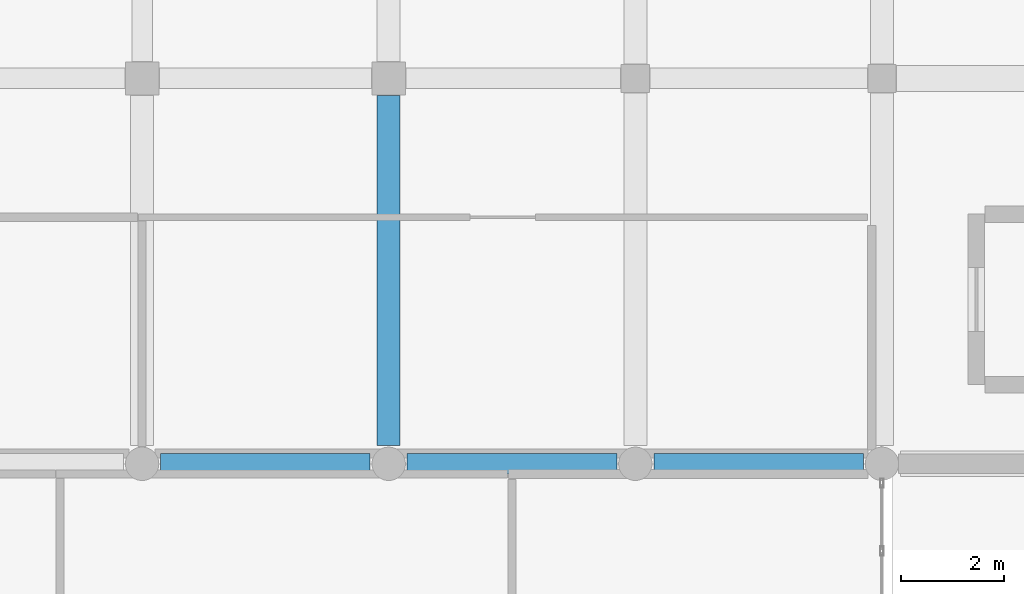
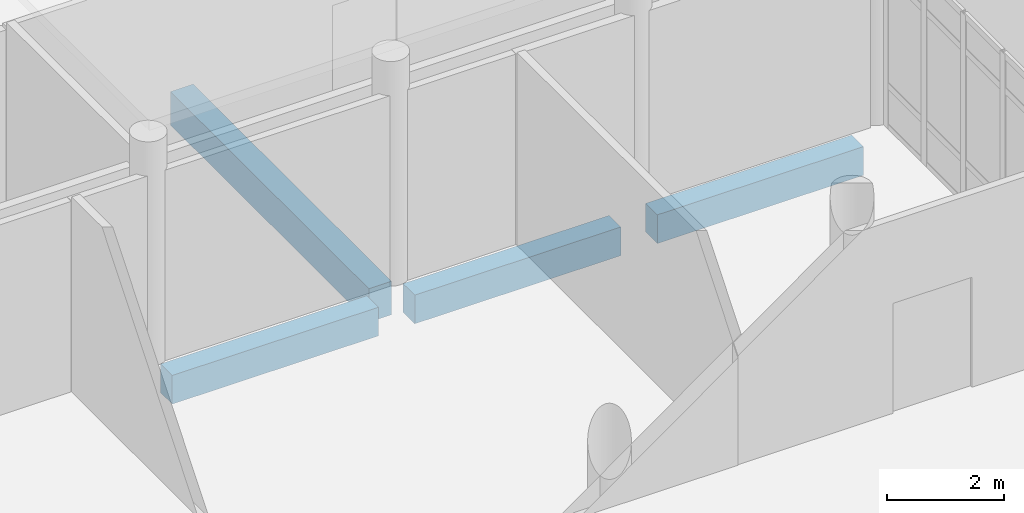
# One storey, part 76 of 173: 4 beams.
"""IFC4 building model written with IfcOpenShell, lengths in metres."""

from ifc_helpers import new_model, si_unit, direction, frame, origin, origin_2d, place, context, subcontext, project, spatial, rectangle, extrude, material, material_profile, profile_set, type_object, element, save


model = new_model("IFC4")

# Units and contexts
model_context = context("Model", 3, precision=1e-05, world=origin(), true_north=direction((0.0, 1.0)))
body_context = subcontext(model_context, "Body", "Model", "MODEL_VIEW")
ifc_project = project(units=[si_unit("LENGTHUNIT", "METRE"), si_unit("AREAUNIT", "SQUARE_METRE"), si_unit("VOLUMEUNIT", "CUBIC_METRE"), si_unit("PLANEANGLEUNIT", "RADIAN"), si_unit("MASSUNIT", "GRAM", prefix="KILO")], contexts=[model_context])

# Site, building, storey
site_placement = place(None, origin())
site = spatial("IfcSite", under=ifc_project, at=site_placement, CompositionType="ELEMENT")
building_placement = place(site_placement, origin())
building = spatial("IfcBuilding", under=site, at=building_placement, Name="Mawjan Specialist Oncology Clinic", CompositionType="ELEMENT")
storey_placement = place(building_placement, origin())
storey = spatial("IfcBuildingStorey", under=building, at=storey_placement, Name="L00", CompositionType="ELEMENT", Elevation=0.0)

# Beams
ifc_material_1 = material(Name="Concrete C40/50", Category="concrete")
ifc_material_profile_1 = material_profile(ifc_material_1, rectangle(XDim=0.39990234375, YDim=0.60009765625, at=origin_2d()), Name="RC BM 400x600", Category="concrete")
ifc_profile_set_1 = profile_set([ifc_material_profile_1], Name="Concrete C40/50")
beam_type_1 = type_object("IfcBeamType", Name="BM-400x600", PredefinedType="BEAM", material=ifc_profile_set_1)
for number, where, z_axis, x_axis, name in (
    (1, (93.9599609375, 75.800048828125, -0.719970703125), (1.0, 0.0, 0.0), (0.0, 1.0, 0.0), "L00 Collector Beam BM-L00-0016"),
    (2, (98.760009765625, 75.800048828125, -0.719970703125), (1.0, 0.0, 0.0), (0.0, 1.0, 0.0), "L00 Collector Beam BM-L00-0017"),
):
    element("IfcBeam", number, at=place(storey_placement, frame(where, z_axis=z_axis, x_axis=x_axis)), inside=storey, type_object=beam_type_1, Name=name, PredefinedType="BEAM", context=body_context, shape_type="SweptSolid", body=[
        extrude(rectangle(XDim=0.39990234375, YDim=0.60009765625, at=origin_2d()), origin(), (0.0, 0.0, 1.0), 4.080078125),
    ])
beam_1_placement = place(storey_placement, frame((103.56005859375, 75.800048828125, -0.719970703125), z_axis=(1.0, 0.0, 0.0), x_axis=(0.0, 1.0, 0.0)))
element("IfcBeam", 3, at=beam_1_placement, inside=storey, type_object=beam_type_1, Name="L00 Collector Beam BM-L00-0018", PredefinedType="BEAM", context=body_context, shape_type="SweptSolid", body=[
    extrude(rectangle(XDim=0.39990234375, YDim=0.60009765625, at=origin_2d()), origin(), (0.0, 0.0, 1.0), 4.079833984375),
])
ifc_material_2 = material(Name="Concrete C40/50", Category="concrete")
ifc_material_profile_2 = material_profile(ifc_material_2, rectangle(XDim=0.449951171875, YDim=0.699951171875, at=origin_2d()), Name="RC BM 450x700", Category="concrete")
ifc_profile_set_2 = profile_set([ifc_material_profile_2], Name="Concrete C40/50")
beam_type_2 = type_object("IfcBeamType", Name="BM-450x700", PredefinedType="BEAM", material=ifc_profile_set_2)
beam_2_placement = place(storey_placement, frame((98.39990234375, 76.159912109375, -0.77001953125), z_axis=(0.0, 1.0, 0.0), x_axis=(-1.0, 0.0, 0.0)))
element("IfcBeam", 4, at=beam_2_placement, inside=storey, type_object=beam_type_2, Name="L00 Collector Beam BM-L00-0169", PredefinedType="BEAM", context=body_context, shape_type="SweptSolid", body=[
    extrude(rectangle(XDim=0.449951171875, YDim=0.699951171875, at=origin_2d()), origin(), (0.0, 0.0, 1.0), 6.80517578125),
])

save(model, "model.ifc")
